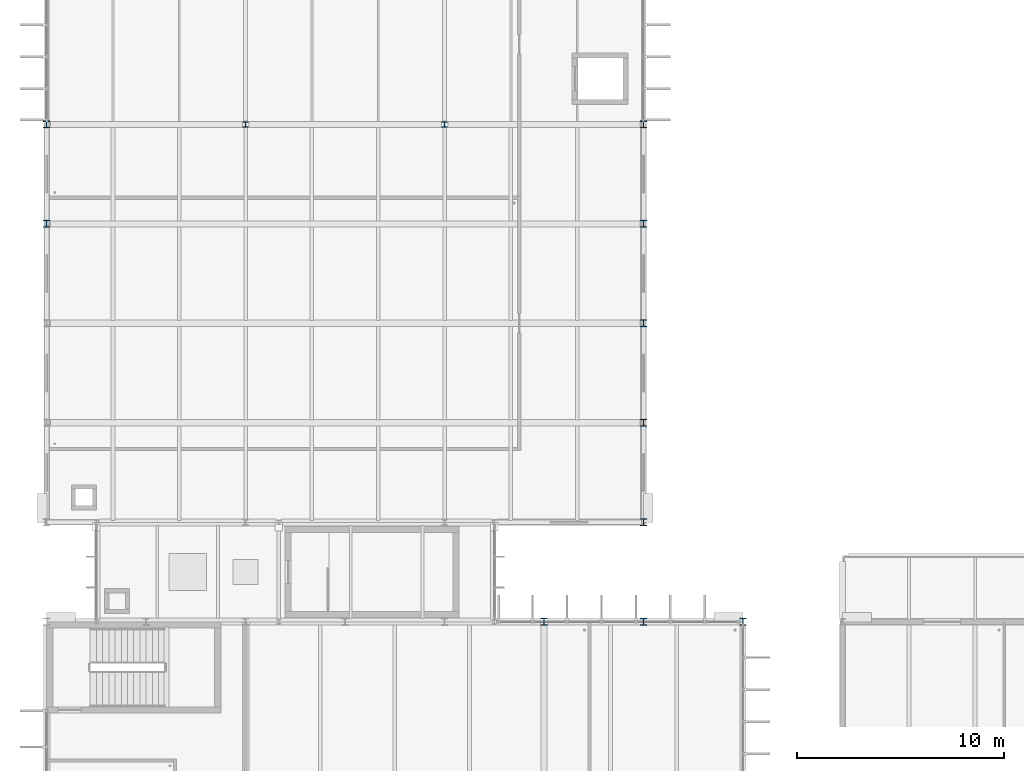
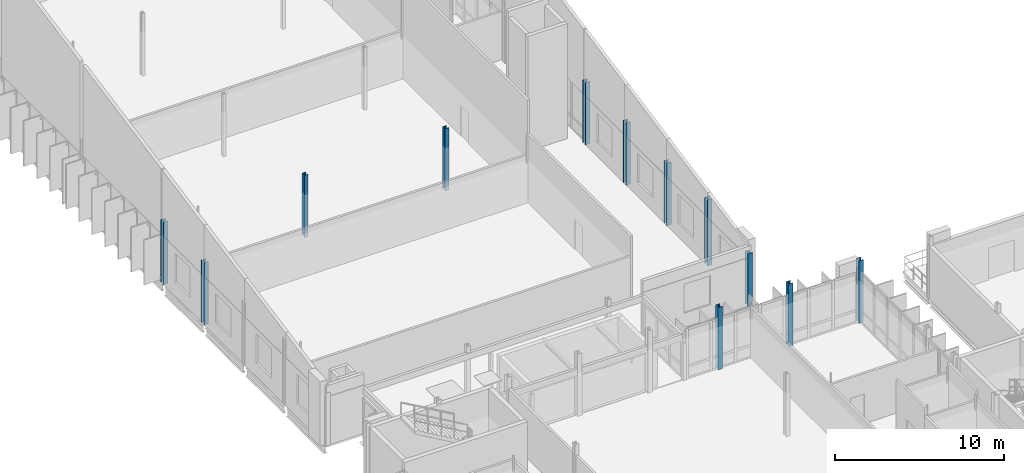
# One storey, part 4 of 93: 12 columns.
"""IFC4 building model written with IfcOpenShell, lengths in metres."""

from ifc_helpers import new_model, si_unit, direction, frame, origin, origin_2d, place, context, subcontext, project, spatial, i_section, extrude, material, material_profile, profile_set, type_object, element, save


model = new_model("IFC4")

# Units and contexts
model_context = context("Model", 3, precision=1e-05, world=origin(), true_north=direction((0.0, 1.0)))
body_context = subcontext(model_context, "Body", "Model", "MODEL_VIEW")
ifc_project = project(units=[si_unit("LENGTHUNIT", "METRE"), si_unit("AREAUNIT", "SQUARE_METRE"), si_unit("VOLUMEUNIT", "CUBIC_METRE"), si_unit("PLANEANGLEUNIT", "RADIAN"), si_unit("MASSUNIT", "GRAM", prefix="KILO")], contexts=[model_context])

# Site, building, storey
site_placement = place(None, origin())
site = spatial("IfcSite", under=ifc_project, at=site_placement, CompositionType="ELEMENT")
building_placement = place(site_placement, origin())
building = spatial("IfcBuilding", under=site, at=building_placement, Name="Dunescarp Central Library", CompositionType="ELEMENT")
storey_placement = place(building_placement, frame((0.0, 0.0, 14.10009765625)))
storey = spatial("IfcBuildingStorey", under=building, at=storey_placement, Name="L03", CompositionType="ELEMENT", Elevation=14.10009765625)

# Columns
ifc_material = material(Name="Steel S355JR", Category="steel")
ifc_material_profile_1 = material_profile(ifc_material, i_section(OverallWidth=0.26123046875, OverallDepth=0.2763671875, WebThickness=0.015380859375, FlangeThickness=0.025390625, at=origin_2d()), Name="UC 254x254x132")
ifc_profile_set_1 = profile_set([ifc_material_profile_1], Name="Steel S355JR")
column_type_1 = type_object("IfcColumnType", Name="STR-COL-UC254X132", PredefinedType="COLUMN", material=ifc_profile_set_1)
for number, where, z_axis, x_axis, name in (
    (1, (9.60009765625, 60.800048828125, 0.0), (0.0, 0.0, 1.0), (1.0, 0.0, 0.0), "L03 column V4B-96-608"),
    (2, (19.199951171875, 60.800048828125, 0.0), (0.0, 0.0, 1.0), (1.0, 0.0, 0.0), "L03 column V4B-192-608"),
):
    element("IfcColumn", number, at=place(storey_placement, frame(where, z_axis=z_axis, x_axis=x_axis)), inside=storey, type_object=column_type_1, Name=name, PredefinedType="COLUMN", context=body_context, shape_type="SweptSolid", body=[
        extrude(i_section(OverallWidth=0.26123046875, OverallDepth=0.2763671875, WebThickness=0.015380859375, FlangeThickness=0.025390625, at=origin_2d()), origin(), (0.0, 0.0, 1.0), 4.5),
    ])
ifc_material_profile_2 = material_profile(ifc_material, i_section(OverallWidth=0.311279296875, OverallDepth=0.3271484375, WebThickness=0.015869140625, FlangeThickness=0.02490234375, at=origin_2d()), Name="UC 305x305x158")
ifc_profile_set_2 = profile_set([ifc_material_profile_2], Name="Steel S355JR")
column_type_2 = type_object("IfcColumnType", Name="STR-COL-UC305X158", PredefinedType="COLUMN", material=ifc_profile_set_2)
for number, where, z_axis, x_axis, name in (
    (3, (24.0, 36.800048828125, 0.0), (0.0, 0.0, 1.0), (1.0, 0.0, 0.0), "L03 column V1P-240-368"),
    (4, (28.800048828125, 36.800048828125, 0.0), (0.0, 0.0, 1.0), (1.0, 0.0, 0.0), "L03 column V1P-288-368"),
    (5, (33.60009765625, 36.800048828125, 0.0), (0.0, 0.0, 1.0), (1.0, 0.0, 0.0), "L03 column V1P-336-368"),
):
    element("IfcColumn", number, at=place(storey_placement, frame(where, z_axis=z_axis, x_axis=x_axis)), inside=storey, type_object=column_type_2, Name=name, PredefinedType="COLUMN", context=body_context, shape_type="SweptSolid", body=[
        extrude(i_section(OverallWidth=0.311279296875, OverallDepth=0.3271484375, WebThickness=0.015869140625, FlangeThickness=0.02490234375, at=origin_2d()), origin(), (0.0, 0.0, 1.0), 4.5),
    ])
ifc_material_profile_3 = material_profile(ifc_material, i_section(OverallWidth=0.314453125, OverallDepth=0.33984375, WebThickness=0.01904296875, FlangeThickness=0.031494140625, at=origin_2d()), Name="UC 305x305x198")
ifc_profile_set_3 = profile_set([ifc_material_profile_3], Name="Steel S355JR")
column_type_3 = type_object("IfcColumnType", Name="STR-COL-UC305X198", PredefinedType="COLUMN", material=ifc_profile_set_3)
for number, where, z_axis, x_axis, name in (
    (6, (0.0, 56.0, 0.0), (0.0, 0.0, 1.0), (1.0, 0.0, 0.0), "L03 column V4A-0-560"),
    (7, (0.0, 60.800048828125, 0.0), (0.0, 0.0, 1.0), (1.0, 0.0, 0.0), "L03 column V4A-0-608"),
):
    element("IfcColumn", number, at=place(storey_placement, frame(where, z_axis=z_axis, x_axis=x_axis)), inside=storey, type_object=column_type_3, Name=name, PredefinedType="COLUMN", context=body_context, shape_type="SweptSolid", body=[
        extrude(i_section(OverallWidth=0.314453125, OverallDepth=0.33984375, WebThickness=0.01904296875, FlangeThickness=0.031494140625, at=origin_2d()), origin(), (0.0, 0.0, 1.0), 4.5),
    ])
column_1_placement = place(storey_placement, frame((28.800048828125, 41.60009765625, 0.0), z_axis=(0.0, 0.0, 1.0), x_axis=(1.0, 0.0, 0.0)))
element("IfcColumn", 8, at=column_1_placement, inside=storey, type_object=column_type_3, Name="L03 column V4A-288-416", PredefinedType="COLUMN", context=body_context, shape_type="SweptSolid", body=[
    extrude(i_section(OverallWidth=0.314453125, OverallDepth=0.33984375, WebThickness=0.01904296875, FlangeThickness=0.031494140625, at=origin_2d()), origin(), (0.0, 0.0, 1.0), 3.7958984375),
])
column_2_placement = place(storey_placement, frame((28.800048828125, 46.39990234375, 0.0), z_axis=(0.0, 0.0, 1.0), x_axis=(1.0, 0.0, 0.0)))
element("IfcColumn", 9, at=column_2_placement, inside=storey, type_object=column_type_3, Name="L03 column V4A-288-464", PredefinedType="COLUMN", context=body_context, shape_type="SweptSolid", body=[
    extrude(i_section(OverallWidth=0.314453125, OverallDepth=0.33984375, WebThickness=0.01904296875, FlangeThickness=0.031494140625, at=origin_2d()), origin(), (0.0, 0.0, 1.0), 4.755859375),
])
for number, where, z_axis, x_axis, name in (
    (10, (28.800048828125, 51.199951171875, 0.0), (0.0, 0.0, 1.0), (1.0, 0.0, 0.0), "L03 column V4A-288-512"),
    (11, (28.800048828125, 56.0, 0.0), (0.0, 0.0, 1.0), (1.0, 0.0, 0.0), "L03 column V4A-288-560"),
    (12, (28.800048828125, 60.800048828125, 0.0), (0.0, 0.0, 1.0), (1.0, 0.0, 0.0), "L03 column V4A-288-608"),
):
    element("IfcColumn", number, at=place(storey_placement, frame(where, z_axis=z_axis, x_axis=x_axis)), inside=storey, type_object=column_type_3, Name=name, PredefinedType="COLUMN", context=body_context, shape_type="SweptSolid", body=[
        extrude(i_section(OverallWidth=0.314453125, OverallDepth=0.33984375, WebThickness=0.01904296875, FlangeThickness=0.031494140625, at=origin_2d()), origin(), (0.0, 0.0, 1.0), 4.5),
    ])

save(model, "model.ifc")
